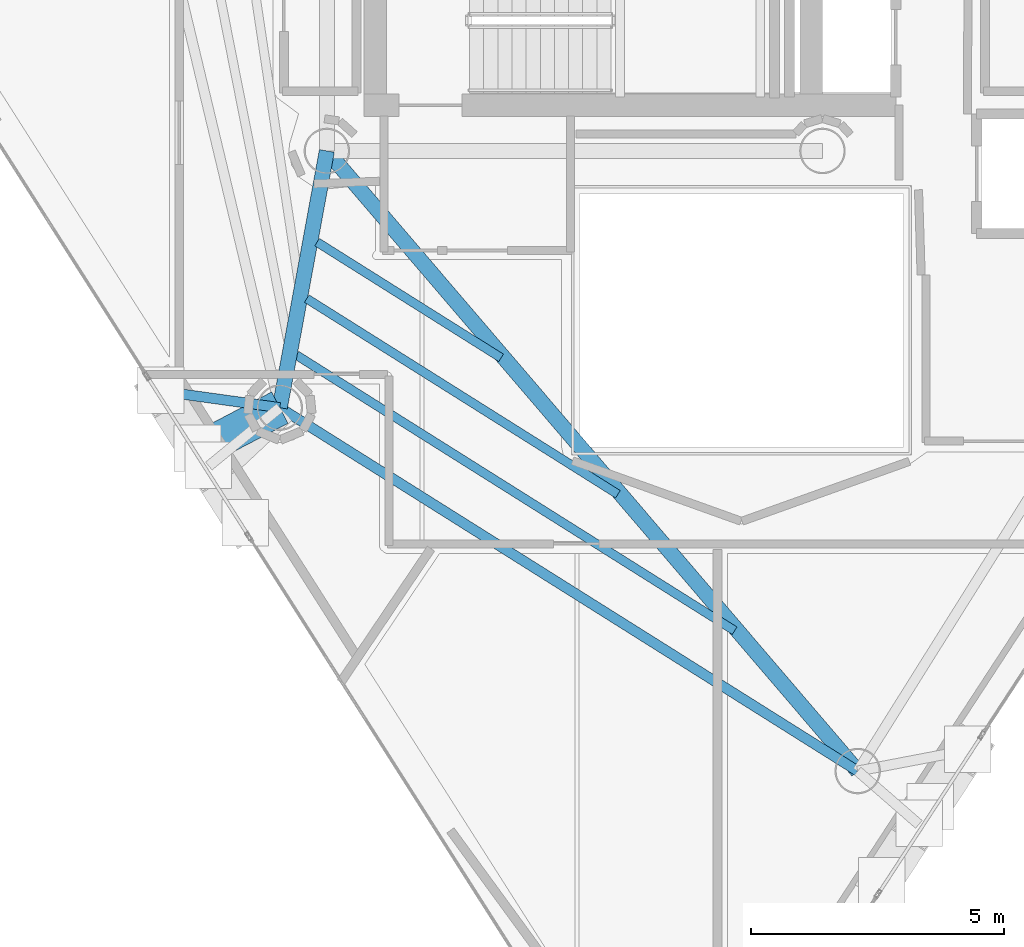
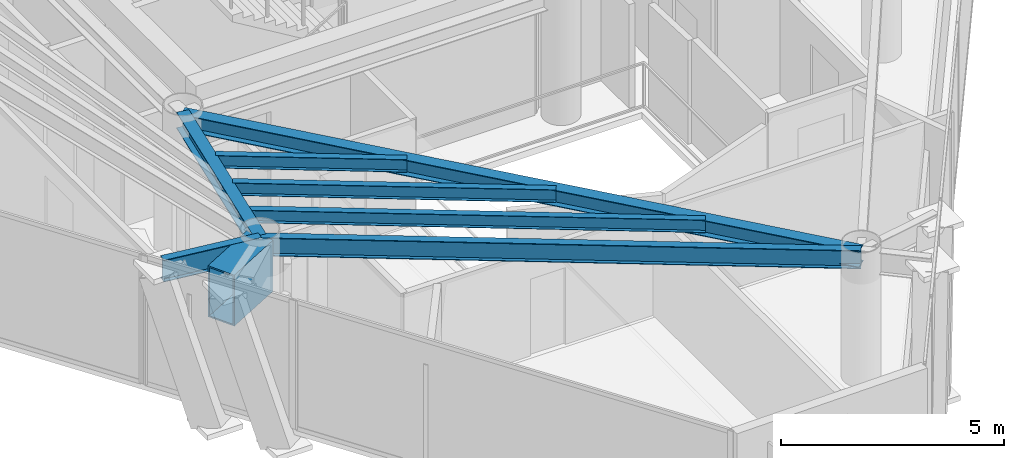
# One storey, part 4 of 25: 8 beams.
"""IFC4 building model written with IfcOpenShell, lengths in metres."""

import ifcopenshell
import ifcopenshell.guid

model = None  # the IFC model being written
_history = None  # IfcOwnerHistory: only IFC2X3 demands one
_inside = {}  # id of a spatial element -> (the spatial element, [elements in it])
_under = {}  # id of a project, library or spatial element -> (it, [spatial elements below it])
_declared = {}  # id of a project -> (the project, [libraries it declares])
_typed = {}  # id of a type object -> (the type object, [elements of that type])
_made_of = {}  # id of a material, layer set ... -> (it, [elements and type objects made of it])


def new_model(schema):
    """Start an empty IFC model of exactly this schema.

    Asked for "IFC4X3", IfcOpenShell would pick the latest addendum, in which some entities
    have other attributes; the version numbers below select the first issue.
    IFC2X3 requires an IfcOwnerHistory on every rooted entity: one is made here for all.
    """
    global model, _history
    if schema == "IFC4X3":
        model = ifcopenshell.file(schema_version=(4, 3, 0, 0))
    else:
        model = ifcopenshell.file(schema=schema)
    _inside.clear()
    _under.clear()
    _declared.clear()
    _typed.clear()
    _made_of.clear()
    _history = None
    if model.schema == "IFC2X3":
        org = make("IfcOrganization", Name="unknown")
        user = make(
            "IfcPersonAndOrganization",
            ThePerson=make("IfcPerson", FamilyName="unknown"),
            TheOrganization=org,
        )
        app = make(
            "IfcApplication",
            ApplicationDeveloper=org,
            Version="unknown",
            ApplicationFullName="unknown",
            ApplicationIdentifier="unknown",
        )
        _history = make(
            "IfcOwnerHistory",
            OwningUser=user,
            OwningApplication=app,
            ChangeAction="ADDED",
            CreationDate=0,
        )
    return model


def make(cls, **values):
    """One entity of the class cls with the attributes given. An attribute that is None is left unset."""
    return model.create_entity(
        cls, **{name: value for name, value in values.items() if value is not None}
    )


def rooted(cls, **values):
    """An entity with a GlobalId (a new one), such as an element, a storey or a relation."""
    return make(cls, GlobalId=ifcopenshell.guid.new(), OwnerHistory=_history, **values)


def si_unit(unit_type, name, prefix=None):
    """IfcSIUnit, for example si_unit("LENGTHUNIT", "METRE", prefix="MILLI")."""
    return make("IfcSIUnit", UnitType=unit_type, Prefix=prefix, Name=name)


def assignment(units):
    """IfcUnitAssignment: the units of a project."""
    return None if units is None else make("IfcUnitAssignment", Units=units)


def point(xyz):
    """IfcCartesianPoint."""
    return None if xyz is None else make("IfcCartesianPoint", Coordinates=xyz)


def direction(xyz):
    """IfcDirection."""
    return None if xyz is None else make("IfcDirection", DirectionRatios=xyz)


def frame(location, z_axis=None, x_axis=None):
    """IfcAxis2Placement3D, a coordinate frame: its origin and axes. An axis left out is left unset."""
    return make(
        "IfcAxis2Placement3D",
        Location=point(location),
        Axis=direction(z_axis),
        RefDirection=direction(x_axis),
    )


def frame_2d(location, x_axis=None):
    """IfcAxis2Placement2D, a coordinate frame in the plane: its origin and x axis."""
    return make(
        "IfcAxis2Placement2D", Location=point(location), RefDirection=direction(x_axis)
    )


def origin():
    """The frame at (0, 0, 0) with its axes left unset."""
    return frame((0.0, 0.0, 0.0))


def origin_2d():
    """The frame at (0, 0) in the plane with its x axis left unset."""
    return frame_2d((0.0, 0.0))


def place(relative_to, where):
    """IfcLocalPlacement: puts the frame where relative to a parent placement (None: the world)."""
    return make(
        "IfcLocalPlacement", PlacementRelTo=relative_to, RelativePlacement=where
    )


def context(
    kind, dimensions, precision=None, world=None, true_north=None, identifier=None
):
    """IfcGeometricRepresentationContext, for example the 3D "Model" context."""
    return make(
        "IfcGeometricRepresentationContext",
        ContextIdentifier=identifier,
        ContextType=kind,
        CoordinateSpaceDimension=dimensions,
        Precision=precision,
        WorldCoordinateSystem=world,
        TrueNorth=true_north,
    )


def subcontext(parent, identifier, kind, view, scale=None):
    """IfcGeometricRepresentationSubContext, for example "Body" below "Model"."""
    return make(
        "IfcGeometricRepresentationSubContext",
        ContextIdentifier=identifier,
        ContextType=kind,
        ParentContext=parent,
        TargetScale=scale,
        TargetView=view,
    )


def project(units=None, contexts=None):
    """IfcProject with its units and contexts."""
    return rooted(
        "IfcProject",
        Name="project",
        RepresentationContexts=contexts,
        UnitsInContext=assignment(units),
    )


def spatial(cls, under=None, at=None, **own):
    """A site, building, storey or space (cls), placed at a placement, below another one or the project."""
    s = rooted(cls, ObjectPlacement=at, **own)
    if under is not None:
        _under.setdefault(under.id(), (under, []))[1].append(s)
    return s


def profile(cls, at=None, kind="AREA", **sizes):
    """A parametric profile (cls). Its sizes go by their IFC names, for example OverallWidth=200.0."""
    return make(cls, ProfileType=kind, Position=at, **sizes)


def hollow_rectangle(**sizes):
    """IfcRectangleHollowProfileDef."""
    return profile("IfcRectangleHollowProfileDef", **sizes)


def i_section(**sizes):
    """IfcIShapeProfileDef."""
    return profile("IfcIShapeProfileDef", **sizes)


def extrude(swept, where, along, depth):
    """IfcExtrudedAreaSolid: the profile swept, set in the frame where, extruded along a direction by depth."""
    return make(
        "IfcExtrudedAreaSolid",
        SweptArea=swept,
        Position=where,
        ExtrudedDirection=direction(along),
        Depth=depth,
    )


def shape(context_of_items, identifier, shape_type, items):
    """IfcShapeRepresentation: the items that make up one representation, for example the "Body"."""
    return make(
        "IfcShapeRepresentation",
        ContextOfItems=context_of_items,
        RepresentationIdentifier=identifier,
        RepresentationType=shape_type,
        Items=items,
    )


def material(Name=None, Category=None):
    """IfcMaterial."""
    return make("IfcMaterial", Name=Name, Category=Category)


def material_profile(
    of_material, cross_section, Name=None, Category=None, Priority=None
):
    """IfcMaterialProfile: a cross section and its material."""
    return make(
        "IfcMaterialProfile",
        Name=Name,
        Material=of_material,
        Profile=cross_section,
        Priority=Priority,
        Category=Category,
    )


def profile_set(profiles, Name=None, composite=None):
    """IfcMaterialProfileSet."""
    return make(
        "IfcMaterialProfileSet",
        Name=Name,
        MaterialProfiles=profiles,
        CompositeProfile=composite,
    )


def made_of(thing, what):
    """Note that an element or type object is made of a material, layer set ...; save() writes the relation."""
    if what is not None:
        _made_of.setdefault(what.id(), (what, []))[1].append(thing)
    return thing


def type_object(cls, material=None, **own):
    """A type object (cls), such as IfcWallType, which elements share."""
    return made_of(rooted(cls, **own), material)


def element(
    cls,
    number,
    at=None,
    inside=None,
    cuts=None,
    type_object=None,
    material=None,
    context=None,
    identifier="Body",
    shape_type=None,
    held_by="IfcProductDefinitionShape",
    body=None,
    shapes=None,
    **own,
):
    """One element of the class cls, such as IfcWall. Its Tag is "e" and its number.

    at: its placement. inside: the storey or other place that contains it. cuts: it is an
    opening in that element (IfcRelVoidsElement). A single representation is given by context,
    identifier, shape_type and body (its items); several are given by shapes. held_by: the class
    of the entity that holds the representations. save() writes the other relations.
    """
    e = rooted(cls, Tag="e%d" % number, ObjectPlacement=at, **own)
    if body is not None:
        shapes = [shape(context, identifier, shape_type, body)]
    if shapes is not None:
        e.Representation = make(held_by, Representations=shapes)
    if inside is not None:
        _inside.setdefault(inside.id(), (inside, []))[1].append(e)
    if cuts is not None:
        rooted(
            "IfcRelVoidsElement", RelatingBuildingElement=cuts, RelatedOpeningElement=e
        )
    if type_object is not None:
        _typed.setdefault(type_object.id(), (type_object, []))[1].append(e)
    return made_of(e, material)


def aggregate(whole, parts):
    """IfcRelAggregates: a whole, such as a stair, and the parts it consists of."""
    return rooted("IfcRelAggregates", RelatingObject=whole, RelatedObjects=parts)


def save(model, path):
    """Write the relations noted so far, then the file.

    IfcRelAggregates (storeys below a building ...), IfcRelContainedInSpatialStructure (elements
    in a storey), IfcRelDefinesByType, IfcRelAssociatesMaterial and IfcRelDeclares: one each for
    every whole, place, type object, material and project.
    """
    for whole, parts in _under.values():
        aggregate(whole, parts)
    for where, things in _inside.values():
        rooted(
            "IfcRelContainedInSpatialStructure",
            RelatedElements=things,
            RelatingStructure=where,
        )
    for kind, things in _typed.values():
        rooted("IfcRelDefinesByType", RelatedObjects=things, RelatingType=kind)
    for what, things in _made_of.values():
        rooted("IfcRelAssociatesMaterial", RelatedObjects=things, RelatingMaterial=what)
    for by, libraries in _declared.values():
        rooted("IfcRelDeclares", RelatingContext=by, RelatedDefinitions=libraries)
    model.write(path)


model = new_model("IFC4")

# Units and contexts
model_context = context("Model", 3, precision=1e-05, world=origin(), true_north=direction((0.0, 1.0)))
body_context = subcontext(model_context, "Body", "Model", "MODEL_VIEW")
ifc_project = project(units=[si_unit("LENGTHUNIT", "METRE"), si_unit("AREAUNIT", "SQUARE_METRE"), si_unit("VOLUMEUNIT", "CUBIC_METRE"), si_unit("PLANEANGLEUNIT", "RADIAN"), si_unit("MASSUNIT", "GRAM", prefix="KILO")], contexts=[model_context])

# Site, building, storey
site_placement = place(None, origin())
site = spatial("IfcSite", under=ifc_project, at=site_placement, CompositionType="ELEMENT")
building_placement = place(site_placement, origin())
building = spatial("IfcBuilding", under=site, at=building_placement, Name="Qianvela Tower", CompositionType="ELEMENT")
storey_placement = place(building_placement, frame((0.0, 0.0, 295.39990234375)))
storey = spatial("IfcBuildingStorey", under=building, at=storey_placement, Name="L76", CompositionType="ELEMENT", Elevation=295.39990234375)

# Beams
ifc_material_1 = material(Name="Steel Q355B", Category="steel")
ifc_material_profile_1 = material_profile(ifc_material_1, i_section(OverallWidth=0.300048828125, OverallDepth=0.43994140625, WebThickness=0.010986328125, FlangeThickness=0.01806640625, at=origin_2d()), Name="HM440x300x11x18")
ifc_profile_set_1 = profile_set([ifc_material_profile_1], Name="Steel Q355B")
beam_type_1 = type_object("IfcBeamType", Name="BM-HM440-COLL", PredefinedType="BEAM", material=ifc_profile_set_1)
beam_1_placement = place(storey_placement, frame((28.60009765625, 23.85009765625, 3.298095703125), z_axis=(-0.180242432023, -0.983622216961, 0.0), x_axis=(0.983622216961, -0.180242432023, 0.0)))
element("IfcBeam", 1, at=beam_1_placement, inside=storey, type_object=beam_type_1, Name="L76 Radial Primary Floor Girder 4", PredefinedType="BEAM", context=body_context, shape_type="SweptSolid", body=[
    extrude(i_section(OverallWidth=0.300048828125, OverallDepth=0.43994140625, WebThickness=0.010986328125, FlangeThickness=0.01806640625, at=origin_2d()), origin(), (0.0, 0.0, 1.0), 5.16064453125),
])
beam_2_placement = place(storey_placement, frame((28.60009765625, 23.85009765625, 3.298095703125), z_axis=(0.650269293807, -0.75970378802, 0.0), x_axis=(0.75970378802, 0.650269293807, 0.0)))
element("IfcBeam", 2, at=beam_2_placement, inside=storey, type_object=beam_type_1, Name="L76 Radial Primary Floor Girder 5", PredefinedType="BEAM", context=body_context, shape_type="SweptSolid", body=[
    extrude(i_section(OverallWidth=0.300048828125, OverallDepth=0.43994140625, WebThickness=0.010986328125, FlangeThickness=0.01806640625, at=origin_2d()), origin(), (0.0, 0.0, 1.0), 16.140869140625),
])
ifc_material_2 = material(Name="Steel Q355B", Category="steel")
ifc_material_profile_2 = material_profile(ifc_material_2, i_section(OverallWidth=0.175048828125, OverallDepth=0.35009765625, WebThickness=0.007080078125, FlangeThickness=0.010986328125, at=origin_2d()), Name="HN350x175x7x11")
ifc_profile_set_2 = profile_set([ifc_material_profile_2], Name="Steel Q355B")
beam_type_2 = type_object("IfcBeamType", Name="BM-HN350-JOIST", PredefinedType="JOIST", material=ifc_profile_set_2)
beam_3_placement = place(storey_placement, frame((28.407470703125, 22.04638671875, 3.343017578125), z_axis=(0.846501223135, -0.532386775973, 0.0), x_axis=(0.532386775973, 0.846501223135, 0.0)))
element("IfcBeam", 3, at=beam_3_placement, inside=storey, type_object=beam_type_2, Name="L76 Secondary Composite Floor Joist 4.1", PredefinedType="JOIST", context=body_context, shape_type="SweptSolid", body=[
    extrude(i_section(OverallWidth=0.175048828125, OverallDepth=0.35009765625, WebThickness=0.007080078125, FlangeThickness=0.010986328125, at=origin_2d()), origin(), (0.0, 0.0, 1.0), 4.29736328125),
])
beam_4_placement = place(storey_placement, frame((28.202880859375, 20.9296875, 3.343017578125), z_axis=(0.846507641225, -0.532376570998, 0.0), x_axis=(0.532376570998, 0.846507641225, 0.0)))
element("IfcBeam", 4, at=beam_4_placement, inside=storey, type_object=beam_type_2, Name="L76 Secondary Composite Floor Joist 4.2", PredefinedType="JOIST", context=body_context, shape_type="SweptSolid", body=[
    extrude(i_section(OverallWidth=0.175048828125, OverallDepth=0.35009765625, WebThickness=0.007080078125, FlangeThickness=0.010986328125, at=origin_2d()), origin(), (0.0, 0.0, 1.0), 7.266845703125),
])
beam_5_placement = place(storey_placement, frame((27.998291015625, 19.81298828125, 3.343017578125), z_axis=(0.846499587038, -0.532389377377, 0.0), x_axis=(0.532389377377, 0.846499587038, 0.0)))
element("IfcBeam", 5, at=beam_5_placement, inside=storey, type_object=beam_type_2, Name="L76 Secondary Composite Floor Joist 4.3", PredefinedType="JOIST", context=body_context, shape_type="SweptSolid", body=[
    extrude(i_section(OverallWidth=0.175048828125, OverallDepth=0.35009765625, WebThickness=0.007080078125, FlangeThickness=0.010986328125, at=origin_2d()), origin(), (0.0, 0.0, 1.0), 10.236328125),
])
ifc_material_3 = material(Name="Steel Q355B", Category="steel")
ifc_material_profile_3 = material_profile(ifc_material_3, i_section(OverallWidth=0.199951171875, OverallDepth=0.5, WebThickness=0.010009765625, FlangeThickness=0.01611328125, at=origin_2d()), Name="HN500x200x10x16")
ifc_profile_set_3 = profile_set([ifc_material_profile_3], Name="Steel Q355B")
beam_type_3 = type_object("IfcBeamType", Name="BM-HN500-GIRD", PredefinedType="BEAM", material=ifc_profile_set_3)
beam_6_placement = place(storey_placement, frame((27.669921875, 18.77392578125, 3.26806640625), z_axis=(0.846504270846, -0.532381930046, 0.0), x_axis=(0.532381930046, 0.846504270846, 0.0)))
element("IfcBeam", 6, at=beam_6_placement, inside=storey, type_object=beam_type_3, Name="L76 Perimeter Ring Spandrel Girder 4", PredefinedType="BEAM", context=body_context, shape_type="SweptSolid", body=[
    extrude(i_section(OverallWidth=0.199951171875, OverallDepth=0.5, WebThickness=0.010009765625, FlangeThickness=0.01611328125, at=origin_2d()), origin(), (0.0, 0.0, 1.0), 13.497802734375),
])
ifc_material_4 = material(Name="Steel Q355B", Category="steel")
ifc_material_profile_4 = material_profile(ifc_material_4, i_section(OverallWidth=0.199951171875, OverallDepth=0.60009765625, WebThickness=0.010986328125, FlangeThickness=0.01708984375, at=origin_2d()), Name="HN600x200x11x17")
ifc_profile_set_4 = profile_set([ifc_material_profile_4], Name="Steel Q355B")
beam_type_4 = type_object("IfcBeamType", Name="BM-HN600-GIRD", PredefinedType="BEAM", material=ifc_profile_set_4)
beam_7_placement = place(storey_placement, frame((27.669921875, 18.77392578125, 3.218017578125), z_axis=(-0.990541023567, 0.137216910878, 0.0), x_axis=(-0.137216910878, -0.990541023567, 0.0)))
element("IfcBeam", 7, at=beam_7_placement, inside=storey, type_object=beam_type_4, Name="L76 Mega-Brace Column Tie Bracket F2-1", PredefinedType="BEAM", context=body_context, shape_type="SweptSolid", body=[
    extrude(i_section(OverallWidth=0.199951171875, OverallDepth=0.60009765625, WebThickness=0.010986328125, FlangeThickness=0.01708984375, at=origin_2d()), origin(), (0.0, 0.0, 1.0), 2.366455078125),
])
ifc_material_5 = material(Name="Steel Q420GJC", Category="steel")
ifc_material_profile_5 = material_profile(ifc_material_5, hollow_rectangle(XDim=0.699951171875, YDim=1.39990234375, WallThickness=0.0400390625, at=origin_2d()), Name="TG-BOX-1400x700x40")
ifc_profile_set_5 = profile_set([ifc_material_profile_5], Name="Steel Q420GJC")
beam_type_5 = type_object("IfcBeamType", Name="BM-TG-STEP-1400", PredefinedType="BEAM", material=ifc_profile_set_5)
beam_8_placement = place(storey_placement, frame((27.669921875, 18.77392578125, 2.815185546875), z_axis=(-0.886357127101, -0.463002206515, 0.0), x_axis=(0.463002206515, -0.886357127101, 0.0)))
element("IfcBeam", 8, at=beam_8_placement, inside=storey, type_object=beam_type_5, Name="L76 Mega-Brace Zone Base Bracket F2-1", PredefinedType="BEAM", context=body_context, shape_type="SweptSolid", body=[
    extrude(hollow_rectangle(XDim=0.699951171875, YDim=1.39990234375, WallThickness=0.0400390625, at=origin_2d()), origin(), (0.0, 0.0, 1.0), 1.625732421875),
])

save(model, "model.ifc")
